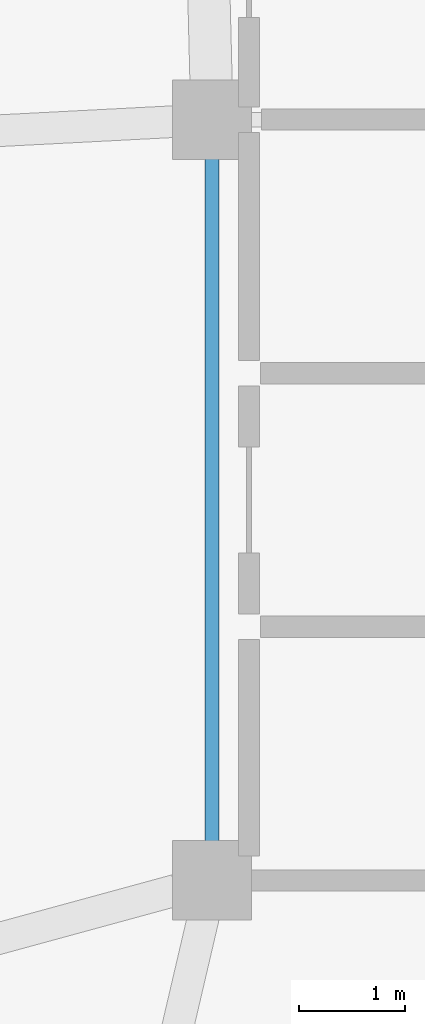
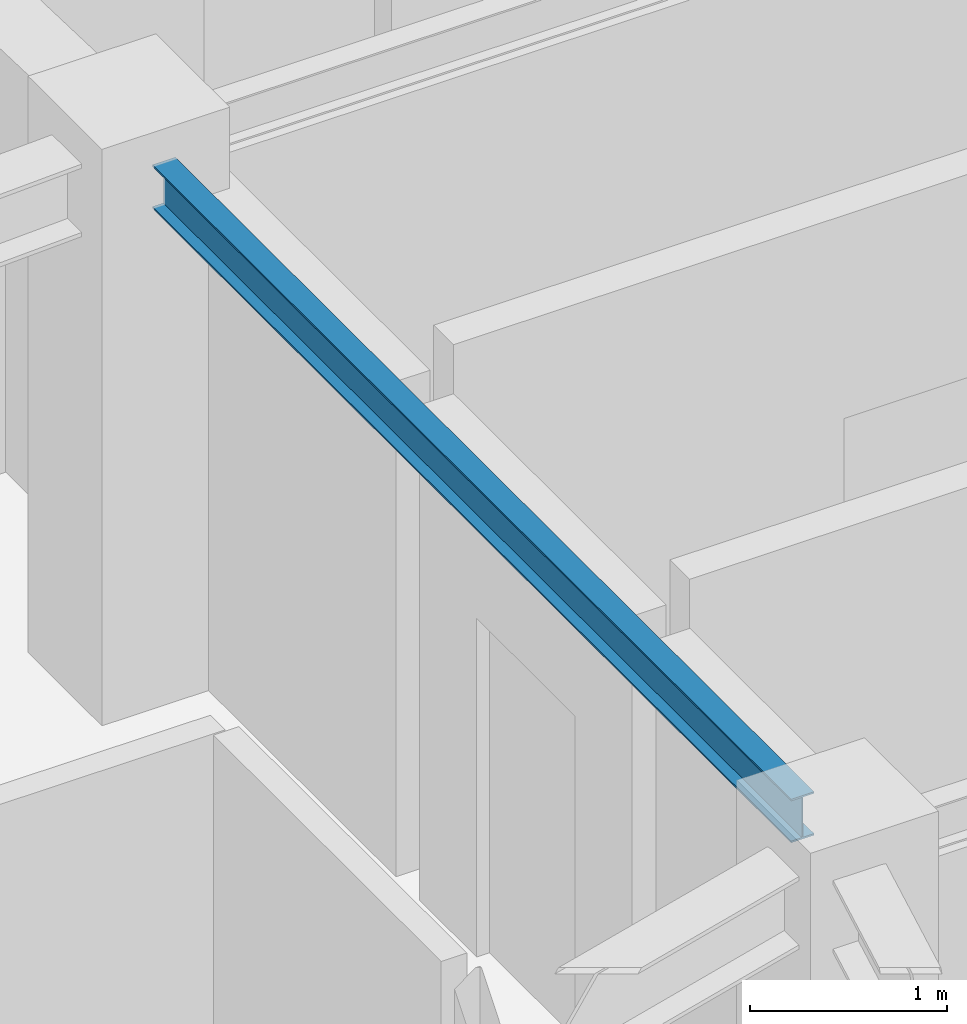
# One storey, part 6 of 27: 1 beam.
"""IFC4 building model written with IfcOpenShell, lengths in metres."""

from ifc_helpers import new_model, si_unit, direction, frame, origin, origin_2d, place, context, subcontext, project, spatial, i_section, extrude, material, material_profile, profile_set, type_object, element, save


model = new_model("IFC4")

# Units and contexts
model_context = context("Model", 3, precision=1e-05, world=origin(), true_north=direction((0.0, 1.0)))
body_context = subcontext(model_context, "Body", "Model", "MODEL_VIEW")
ifc_project = project(units=[si_unit("LENGTHUNIT", "METRE"), si_unit("AREAUNIT", "SQUARE_METRE"), si_unit("VOLUMEUNIT", "CUBIC_METRE"), si_unit("PLANEANGLEUNIT", "RADIAN"), si_unit("MASSUNIT", "GRAM", prefix="KILO")], contexts=[model_context])

# Site, building, storey
site_placement = place(None, origin())
site = spatial("IfcSite", under=ifc_project, at=site_placement, CompositionType="ELEMENT")
building_placement = place(site_placement, origin())
building = spatial("IfcBuilding", under=site, at=building_placement, Name="Varnakorn Sky Granary", CompositionType="ELEMENT")
storey_placement = place(building_placement, frame((0.0, 0.0, 229.199951171875)))
storey = spatial("IfcBuildingStorey", under=building, at=storey_placement, Name="L58", CompositionType="ELEMENT", Elevation=229.199951171875)

# Beam
ifc_material = material(Name="Steel S355JR", Category="steel")
ifc_material_profile = material_profile(ifc_material, i_section(OverallWidth=0.135009765625, OverallDepth=0.27001953125, WebThickness=0.006591796875, FlangeThickness=0.01025390625, at=origin_2d()), Name="IPE 270")
ifc_profile_set = profile_set([ifc_material_profile], Name="Steel S355JR")
beam_type = type_object("IfcBeamType", Name="BM-SEC-Z5", PredefinedType="BEAM", material=ifc_profile_set)
beam_placement = place(storey_placement, frame((-2.35009765625, 0.2451171875, 3.22509765625), z_axis=(0.0, -1.0, 0.0), x_axis=(1.0, 0.0, 0.0)))
element("IfcBeam", 1, at=beam_placement, inside=storey, type_object=beam_type, Name="Core Spine Framing Beam 3 L58", PredefinedType="BEAM", context=body_context, shape_type="SweptSolid", body=[
    extrude(i_section(OverallWidth=0.135009765625, OverallDepth=0.27001953125, WebThickness=0.006591796875, FlangeThickness=0.01025390625, at=origin_2d()), origin(), (0.0, 0.0, 1.0), 6.490234375),
])

save(model, "model.ifc")
